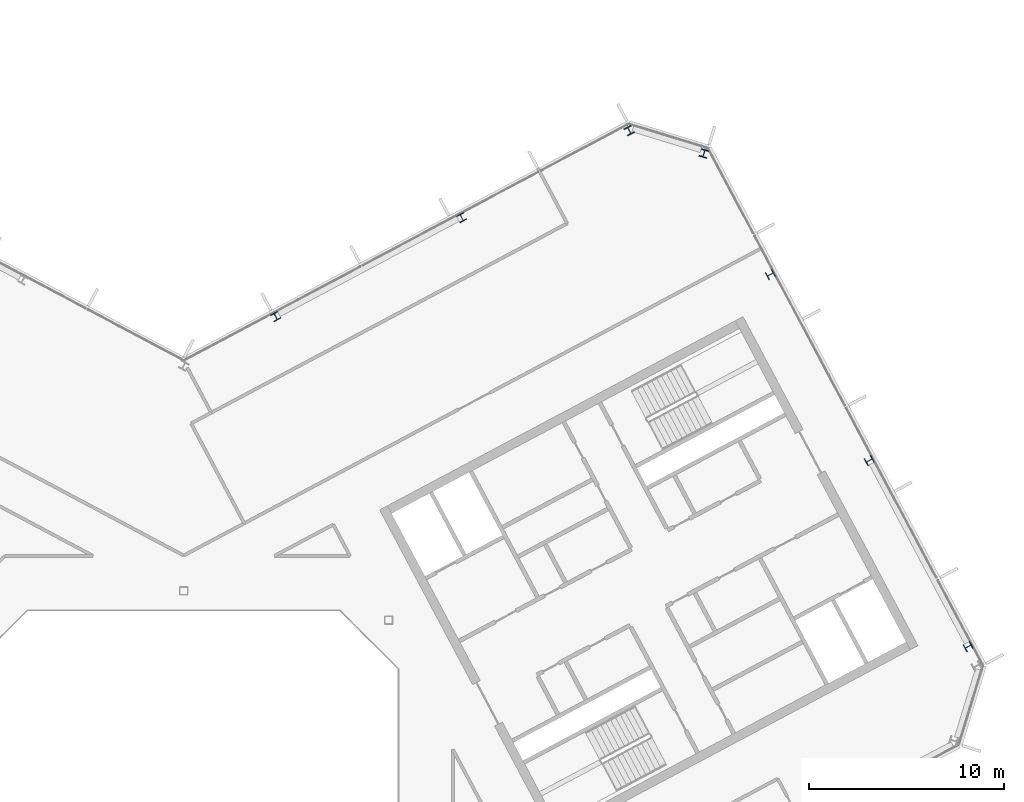
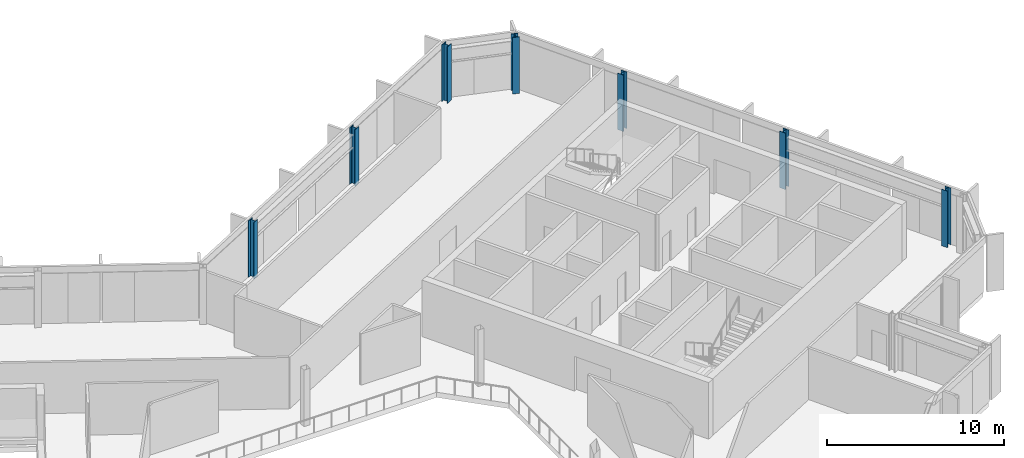
# One storey, part 7 of 26: 7 columns.
"""IFC4 building model written with IfcOpenShell, lengths in metres."""

from ifc_helpers import new_model, si_unit, direction, frame, origin, origin_2d, place, context, subcontext, project, spatial, i_section, extrude, material, material_profile, profile_set, type_object, element, save


model = new_model("IFC4")

# Units and contexts
model_context = context("Model", 3, precision=1e-05, world=origin(), true_north=direction((0.0, 1.0)))
body_context = subcontext(model_context, "Body", "Model", "MODEL_VIEW")
ifc_project = project(units=[si_unit("LENGTHUNIT", "METRE"), si_unit("AREAUNIT", "SQUARE_METRE"), si_unit("VOLUMEUNIT", "CUBIC_METRE"), si_unit("PLANEANGLEUNIT", "RADIAN"), si_unit("MASSUNIT", "GRAM", prefix="KILO")], contexts=[model_context])

# Site, building, storey
site_placement = place(None, origin())
site = spatial("IfcSite", under=ifc_project, at=site_placement, CompositionType="ELEMENT")
building_placement = place(site_placement, origin())
building = spatial("IfcBuilding", under=site, at=building_placement, Name="Cormorant Relay Tower", CompositionType="ELEMENT")
storey_placement = place(building_placement, frame((0.0, 0.0, 277.5)))
storey = spatial("IfcBuildingStorey", under=building, at=storey_placement, Name="L62", CompositionType="ELEMENT", Elevation=277.5)

# Columns
ifc_material_1 = material(Name="Steel ASTM A992 (Fy 345 MPa)", Category="steel")
ifc_material_profile_1 = material_profile(ifc_material_1, i_section(OverallWidth=0.398681640625, OverallDepth=0.385986328125, WebThickness=0.02099609375, FlangeThickness=0.033203125, FilletRadius=0.01513671875, at=origin_2d()), Name="W360x262")
ifc_profile_set_1 = profile_set([ifc_material_profile_1], Name="Steel ASTM A992 (Fy 345 MPa)")
column_type_1 = type_object("IfcColumnType", Name="Column W360x262", PredefinedType="COLUMN", material=ifc_profile_set_1)
for number, where, z_axis, x_axis, name in (
    (1, (40.2119140625, 9.14892578125, 0.0), (0.0, 0.0, 1.0), (-0.469471562786, 0.882947592859, 0.0), "Column L62-021"),
    (2, (35.14111328125, 18.68505859375, 0.0), (0.0, 0.0, 1.0), (-0.469471562786, 0.882947592859, 0.0), "Column L62-027"),
    (3, (4.715087890625, 26.06494140625, 0.0), (0.0, 0.0, 1.0), (-0.882947592859, -0.469471562786, 0.0), "Column L62-031"),
    (4, (30.071044921875, 28.220947265625, 0.0), (0.0, 0.0, 1.0), (-0.469471562786, 0.882947592859, 0.0), "Column L62-033"),
    (5, (14.2509765625, 31.135009765625, 0.0), (0.0, 0.0, 1.0), (-0.882947592859, -0.469471562786, 0.0), "Column L62-035"),
):
    element("IfcColumn", number, at=place(storey_placement, frame(where, z_axis=z_axis, x_axis=x_axis)), inside=storey, type_object=column_type_1, Name=name, PredefinedType="COLUMN", context=body_context, shape_type="SweptSolid", body=[
        extrude(i_section(OverallWidth=0.398681640625, OverallDepth=0.385986328125, WebThickness=0.02099609375, FlangeThickness=0.033203125, FilletRadius=0.01513671875, at=origin_2d()), origin(), (0.0, 0.0, 1.0), 3.89990234375),
    ])
ifc_material_2 = material(Name="Steel ASTM A992 (Fy 345 MPa)", Category="steel")
ifc_material_profile_2 = material_profile(ifc_material_2, i_section(OverallWidth=0.40380859375, OverallDepth=0.406494140625, WebThickness=0.027099609375, FlangeThickness=0.043701171875, FilletRadius=0.01513671875, at=origin_2d()), Name="W360x347")
ifc_profile_set_2 = profile_set([ifc_material_profile_2], Name="Steel ASTM A992 (Fy 345 MPa)")
column_type_2 = type_object("IfcColumnType", Name="Column W360x347", PredefinedType="COLUMN", material=ifc_profile_set_2)
for number, where, z_axis, x_axis, name in (
    (6, (26.6640625, 34.425048828125, 0.0), (0.0, 0.0, 1.0), (-0.956304755963, 0.292371704723, 0.0), "Column L62-038"),
    (7, (22.841064453125, 35.593994140625, 0.0), (0.0, 0.0, 1.0), (-0.882947592859, -0.469471562786, 0.0), "Column L62-039"),
):
    element("IfcColumn", number, at=place(storey_placement, frame(where, z_axis=z_axis, x_axis=x_axis)), inside=storey, type_object=column_type_2, Name=name, PredefinedType="COLUMN", context=body_context, shape_type="SweptSolid", body=[
        extrude(i_section(OverallWidth=0.40380859375, OverallDepth=0.406494140625, WebThickness=0.027099609375, FlangeThickness=0.043701171875, FilletRadius=0.01513671875, at=origin_2d()), origin(), (0.0, 0.0, 1.0), 3.89990234375),
    ])

save(model, "model.ifc")
